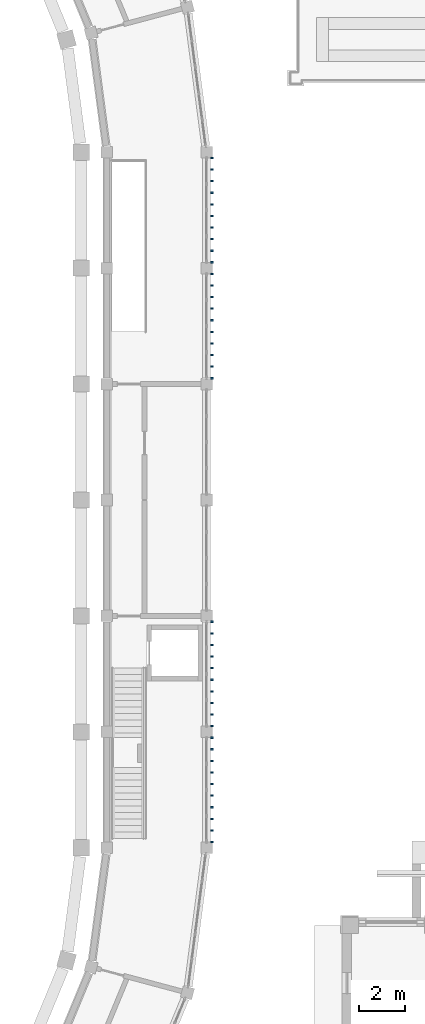
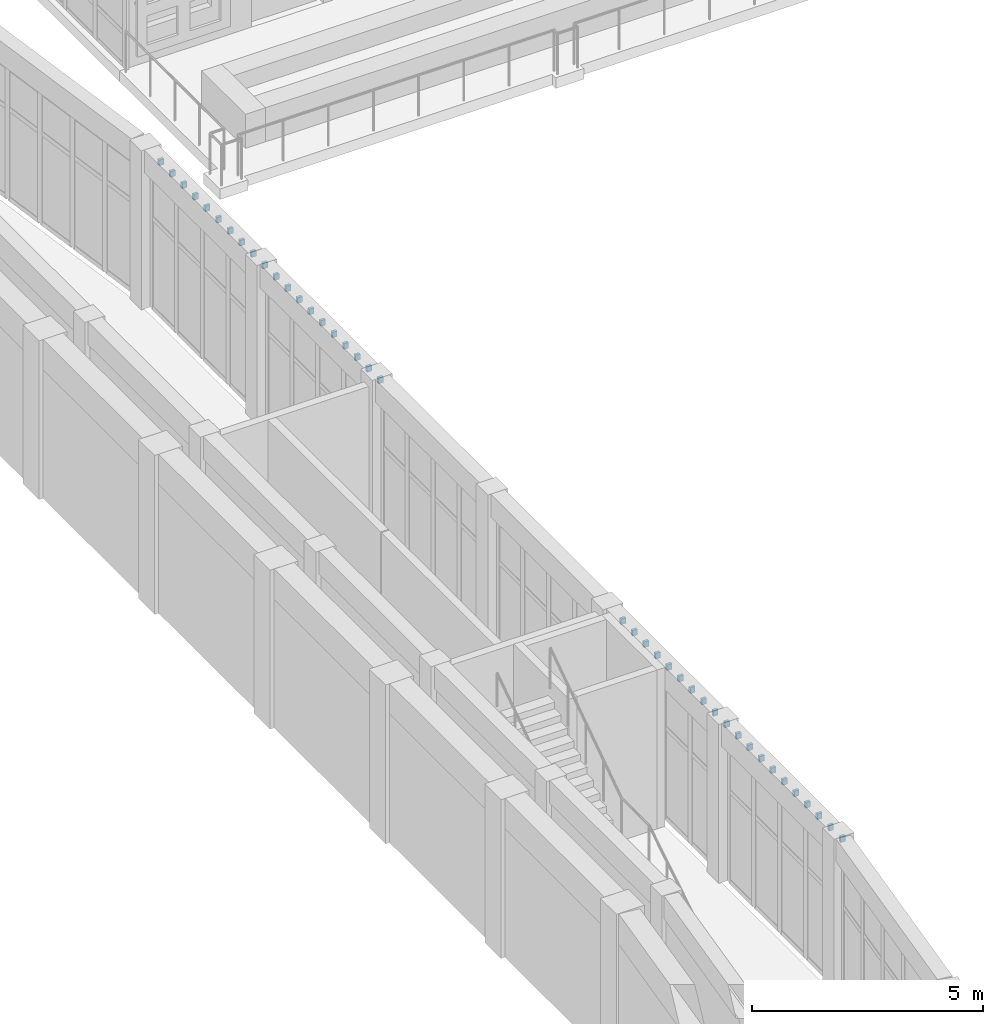
# One storey, part 75 of 99: 40 discrete accessories.
"""IFC4 building model written with IfcOpenShell, lengths in metres."""

import ifcopenshell
import ifcopenshell.guid

model = None  # the IFC model being written
_history = None  # IfcOwnerHistory: only IFC2X3 demands one
_inside = {}  # id of a spatial element -> (the spatial element, [elements in it])
_under = {}  # id of a project, library or spatial element -> (it, [spatial elements below it])
_declared = {}  # id of a project -> (the project, [libraries it declares])
_typed = {}  # id of a type object -> (the type object, [elements of that type])
_made_of = {}  # id of a material, layer set ... -> (it, [elements and type objects made of it])


def new_model(schema):
    """Start an empty IFC model of exactly this schema.

    Asked for "IFC4X3", IfcOpenShell would pick the latest addendum, in which some entities
    have other attributes; the version numbers below select the first issue.
    IFC2X3 requires an IfcOwnerHistory on every rooted entity: one is made here for all.
    """
    global model, _history
    if schema == "IFC4X3":
        model = ifcopenshell.file(schema_version=(4, 3, 0, 0))
    else:
        model = ifcopenshell.file(schema=schema)
    _inside.clear()
    _under.clear()
    _declared.clear()
    _typed.clear()
    _made_of.clear()
    _history = None
    if model.schema == "IFC2X3":
        org = make("IfcOrganization", Name="unknown")
        user = make(
            "IfcPersonAndOrganization",
            ThePerson=make("IfcPerson", FamilyName="unknown"),
            TheOrganization=org,
        )
        app = make(
            "IfcApplication",
            ApplicationDeveloper=org,
            Version="unknown",
            ApplicationFullName="unknown",
            ApplicationIdentifier="unknown",
        )
        _history = make(
            "IfcOwnerHistory",
            OwningUser=user,
            OwningApplication=app,
            ChangeAction="ADDED",
            CreationDate=0,
        )
    return model


def make(cls, **values):
    """One entity of the class cls with the attributes given. An attribute that is None is left unset."""
    return model.create_entity(
        cls, **{name: value for name, value in values.items() if value is not None}
    )


def rooted(cls, **values):
    """An entity with a GlobalId (a new one), such as an element, a storey or a relation."""
    return make(cls, GlobalId=ifcopenshell.guid.new(), OwnerHistory=_history, **values)


def si_unit(unit_type, name, prefix=None):
    """IfcSIUnit, for example si_unit("LENGTHUNIT", "METRE", prefix="MILLI")."""
    return make("IfcSIUnit", UnitType=unit_type, Prefix=prefix, Name=name)


def assignment(units):
    """IfcUnitAssignment: the units of a project."""
    return None if units is None else make("IfcUnitAssignment", Units=units)


def point(xyz):
    """IfcCartesianPoint."""
    return None if xyz is None else make("IfcCartesianPoint", Coordinates=xyz)


def direction(xyz):
    """IfcDirection."""
    return None if xyz is None else make("IfcDirection", DirectionRatios=xyz)


def frame(location, z_axis=None, x_axis=None):
    """IfcAxis2Placement3D, a coordinate frame: its origin and axes. An axis left out is left unset."""
    return make(
        "IfcAxis2Placement3D",
        Location=point(location),
        Axis=direction(z_axis),
        RefDirection=direction(x_axis),
    )


def frame_2d(location, x_axis=None):
    """IfcAxis2Placement2D, a coordinate frame in the plane: its origin and x axis."""
    return make(
        "IfcAxis2Placement2D", Location=point(location), RefDirection=direction(x_axis)
    )


def origin():
    """The frame at (0, 0, 0) with its axes left unset."""
    return frame((0.0, 0.0, 0.0))


def origin_2d():
    """The frame at (0, 0) in the plane with its x axis left unset."""
    return frame_2d((0.0, 0.0))


def place(relative_to, where):
    """IfcLocalPlacement: puts the frame where relative to a parent placement (None: the world)."""
    return make(
        "IfcLocalPlacement", PlacementRelTo=relative_to, RelativePlacement=where
    )


def context(
    kind, dimensions, precision=None, world=None, true_north=None, identifier=None
):
    """IfcGeometricRepresentationContext, for example the 3D "Model" context."""
    return make(
        "IfcGeometricRepresentationContext",
        ContextIdentifier=identifier,
        ContextType=kind,
        CoordinateSpaceDimension=dimensions,
        Precision=precision,
        WorldCoordinateSystem=world,
        TrueNorth=true_north,
    )


def subcontext(parent, identifier, kind, view, scale=None):
    """IfcGeometricRepresentationSubContext, for example "Body" below "Model"."""
    return make(
        "IfcGeometricRepresentationSubContext",
        ContextIdentifier=identifier,
        ContextType=kind,
        ParentContext=parent,
        TargetScale=scale,
        TargetView=view,
    )


def project(units=None, contexts=None):
    """IfcProject with its units and contexts."""
    return rooted(
        "IfcProject",
        Name="project",
        RepresentationContexts=contexts,
        UnitsInContext=assignment(units),
    )


def spatial(cls, under=None, at=None, **own):
    """A site, building, storey or space (cls), placed at a placement, below another one or the project."""
    s = rooted(cls, ObjectPlacement=at, **own)
    if under is not None:
        _under.setdefault(under.id(), (under, []))[1].append(s)
    return s


def profile(cls, at=None, kind="AREA", **sizes):
    """A parametric profile (cls). Its sizes go by their IFC names, for example OverallWidth=200.0."""
    return make(cls, ProfileType=kind, Position=at, **sizes)


def rectangle(**sizes):
    """IfcRectangleProfileDef."""
    return profile("IfcRectangleProfileDef", **sizes)


def extrude(swept, where, along, depth):
    """IfcExtrudedAreaSolid: the profile swept, set in the frame where, extruded along a direction by depth."""
    return make(
        "IfcExtrudedAreaSolid",
        SweptArea=swept,
        Position=where,
        ExtrudedDirection=direction(along),
        Depth=depth,
    )


def shape(context_of_items, identifier, shape_type, items):
    """IfcShapeRepresentation: the items that make up one representation, for example the "Body"."""
    return make(
        "IfcShapeRepresentation",
        ContextOfItems=context_of_items,
        RepresentationIdentifier=identifier,
        RepresentationType=shape_type,
        Items=items,
    )


def material(Name=None, Category=None):
    """IfcMaterial."""
    return make("IfcMaterial", Name=Name, Category=Category)


def made_of(thing, what):
    """Note that an element or type object is made of a material, layer set ...; save() writes the relation."""
    if what is not None:
        _made_of.setdefault(what.id(), (what, []))[1].append(thing)
    return thing


def type_object(cls, material=None, **own):
    """A type object (cls), such as IfcWallType, which elements share."""
    return made_of(rooted(cls, **own), material)


def element(
    cls,
    number,
    at=None,
    inside=None,
    cuts=None,
    type_object=None,
    material=None,
    context=None,
    identifier="Body",
    shape_type=None,
    held_by="IfcProductDefinitionShape",
    body=None,
    shapes=None,
    **own,
):
    """One element of the class cls, such as IfcWall. Its Tag is "e" and its number.

    at: its placement. inside: the storey or other place that contains it. cuts: it is an
    opening in that element (IfcRelVoidsElement). A single representation is given by context,
    identifier, shape_type and body (its items); several are given by shapes. held_by: the class
    of the entity that holds the representations. save() writes the other relations.
    """
    e = rooted(cls, Tag="e%d" % number, ObjectPlacement=at, **own)
    if body is not None:
        shapes = [shape(context, identifier, shape_type, body)]
    if shapes is not None:
        e.Representation = make(held_by, Representations=shapes)
    if inside is not None:
        _inside.setdefault(inside.id(), (inside, []))[1].append(e)
    if cuts is not None:
        rooted(
            "IfcRelVoidsElement", RelatingBuildingElement=cuts, RelatedOpeningElement=e
        )
    if type_object is not None:
        _typed.setdefault(type_object.id(), (type_object, []))[1].append(e)
    return made_of(e, material)


def aggregate(whole, parts):
    """IfcRelAggregates: a whole, such as a stair, and the parts it consists of."""
    return rooted("IfcRelAggregates", RelatingObject=whole, RelatedObjects=parts)


def save(model, path):
    """Write the relations noted so far, then the file.

    IfcRelAggregates (storeys below a building ...), IfcRelContainedInSpatialStructure (elements
    in a storey), IfcRelDefinesByType, IfcRelAssociatesMaterial and IfcRelDeclares: one each for
    every whole, place, type object, material and project.
    """
    for whole, parts in _under.values():
        aggregate(whole, parts)
    for where, things in _inside.values():
        rooted(
            "IfcRelContainedInSpatialStructure",
            RelatedElements=things,
            RelatingStructure=where,
        )
    for kind, things in _typed.values():
        rooted("IfcRelDefinesByType", RelatedObjects=things, RelatingType=kind)
    for what, things in _made_of.values():
        rooted("IfcRelAssociatesMaterial", RelatedObjects=things, RelatingMaterial=what)
    for by, libraries in _declared.values():
        rooted("IfcRelDeclares", RelatingContext=by, RelatedDefinitions=libraries)
    model.write(path)


model = new_model("IFC4")

# Units and contexts
model_context = context("Model", 3, precision=1e-05, world=origin(), true_north=direction((0.0, 1.0)))
body_context = subcontext(model_context, "Body", "Model", "MODEL_VIEW")
ifc_project = project(units=[si_unit("LENGTHUNIT", "METRE"), si_unit("AREAUNIT", "SQUARE_METRE"), si_unit("VOLUMEUNIT", "CUBIC_METRE"), si_unit("PLANEANGLEUNIT", "RADIAN"), si_unit("MASSUNIT", "GRAM", prefix="KILO")], contexts=[model_context])

# Site, building, storey
site_placement = place(None, origin())
site = spatial("IfcSite", under=ifc_project, at=site_placement, CompositionType="ELEMENT")
building_placement = place(site_placement, origin())
building = spatial("IfcBuilding", under=site, at=building_placement, Name="Wasatch Bagh Community Centre", CompositionType="ELEMENT")
storey_placement = place(building_placement, frame((0.0, 0.0, 4.199951171875)))
storey = spatial("IfcBuildingStorey", under=building, at=storey_placement, Name="L01", CompositionType="ELEMENT", Elevation=4.199951171875)

# Discrete accessories
ifc_material = material(Name="ASTM A36 steel", Category="steel")
discrete_accessory_type = type_object("IfcDiscreteAccessoryType", Name="Drum fin bracket", PredefinedType="BRACKET", material=ifc_material)
for number, where, z_axis, x_axis, name in (
    (1, (60.385009765625, 35.25, 3.675048828125), (0.0, 0.0, 1.0), (0.0, 1.0, 0.0), "Fin bracket 13.1.2"),
    (2, (60.385009765625, 35.75, 3.675048828125), (0.0, 0.0, 1.0), (0.0, 1.0, 0.0), "Fin bracket 13.2.2"),
    (3, (60.385009765625, 36.25, 3.675048828125), (0.0, 0.0, 1.0), (0.0, 1.0, 0.0), "Fin bracket 13.3.2"),
    (4, (60.385009765625, 36.75, 3.675048828125), (0.0, 0.0, 1.0), (0.0, 1.0, 0.0), "Fin bracket 13.4.2"),
    (5, (60.385009765625, 37.25, 3.675048828125), (0.0, 0.0, 1.0), (0.0, 1.0, 0.0), "Fin bracket 13.5.2"),
    (6, (60.385009765625, 37.75, 3.675048828125), (0.0, 0.0, 1.0), (0.0, 1.0, 0.0), "Fin bracket 13.6.2"),
    (7, (60.385009765625, 38.25, 3.675048828125), (0.0, 0.0, 1.0), (0.0, 1.0, 0.0), "Fin bracket 13.7.2"),
    (8, (60.385009765625, 38.75, 3.675048828125), (0.0, 0.0, 1.0), (0.0, 1.0, 0.0), "Fin bracket 13.8.2"),
    (9, (60.385009765625, 39.25, 3.675048828125), (0.0, 0.0, 1.0), (0.0, 1.0, 0.0), "Fin bracket 13.9.2"),
    (10, (60.385009765625, 39.75, 3.675048828125), (0.0, 0.0, 1.0), (0.0, 1.0, 0.0), "Fin bracket 13.10.2"),
    (11, (60.385009765625, 40.25, 3.675048828125), (0.0, 0.0, 1.0), (0.0, 1.0, 0.0), "Fin bracket 14.1.2"),
    (12, (60.385009765625, 40.75, 3.675048828125), (0.0, 0.0, 1.0), (0.0, 1.0, 0.0), "Fin bracket 14.2.2"),
    (13, (60.385009765625, 41.25, 3.675048828125), (0.0, 0.0, 1.0), (0.0, 1.0, 0.0), "Fin bracket 14.3.2"),
    (14, (60.385009765625, 41.75, 3.675048828125), (0.0, 0.0, 1.0), (0.0, 1.0, 0.0), "Fin bracket 14.4.2"),
    (15, (60.385009765625, 42.25, 3.675048828125), (0.0, 0.0, 1.0), (0.0, 1.0, 0.0), "Fin bracket 14.5.2"),
    (16, (60.385009765625, 42.75, 3.675048828125), (0.0, 0.0, 1.0), (0.0, 1.0, 0.0), "Fin bracket 14.6.2"),
    (17, (60.385009765625, 43.25, 3.675048828125), (0.0, 0.0, 1.0), (0.0, 1.0, 0.0), "Fin bracket 14.7.2"),
    (18, (60.385009765625, 43.75, 3.675048828125), (0.0, 0.0, 1.0), (0.0, 1.0, 0.0), "Fin bracket 14.8.2"),
    (19, (60.385009765625, 44.25, 3.675048828125), (0.0, 0.0, 1.0), (0.0, 1.0, 0.0), "Fin bracket 14.9.2"),
    (20, (60.385009765625, 44.75, 3.675048828125), (0.0, 0.0, 1.0), (0.0, 1.0, 0.0), "Fin bracket 14.10.2"),
    (21, (60.385009765625, 55.25, 3.675048828125), (0.0, 0.0, 1.0), (0.0, 1.0, 0.0), "Fin bracket 17.1.2"),
    (22, (60.385009765625, 55.75, 3.675048828125), (0.0, 0.0, 1.0), (0.0, 1.0, 0.0), "Fin bracket 17.2.2"),
    (23, (60.385009765625, 56.25, 3.675048828125), (0.0, 0.0, 1.0), (0.0, 1.0, 0.0), "Fin bracket 17.3.2"),
    (24, (60.385009765625, 56.75, 3.675048828125), (0.0, 0.0, 1.0), (0.0, 1.0, 0.0), "Fin bracket 17.4.2"),
    (25, (60.385009765625, 57.25, 3.675048828125), (0.0, 0.0, 1.0), (0.0, 1.0, 0.0), "Fin bracket 17.5.2"),
    (26, (60.385009765625, 57.75, 3.675048828125), (0.0, 0.0, 1.0), (0.0, 1.0, 0.0), "Fin bracket 17.6.2"),
    (27, (60.385009765625, 58.25, 3.675048828125), (0.0, 0.0, 1.0), (0.0, 1.0, 0.0), "Fin bracket 17.7.2"),
    (28, (60.385009765625, 58.75, 3.675048828125), (0.0, 0.0, 1.0), (0.0, 1.0, 0.0), "Fin bracket 17.8.2"),
    (29, (60.385009765625, 59.25, 3.675048828125), (0.0, 0.0, 1.0), (0.0, 1.0, 0.0), "Fin bracket 17.9.2"),
    (30, (60.385009765625, 59.75, 3.675048828125), (0.0, 0.0, 1.0), (0.0, 1.0, 0.0), "Fin bracket 17.10.2"),
    (31, (60.385009765625, 60.25, 3.675048828125), (0.0, 0.0, 1.0), (0.0, 1.0, 0.0), "Fin bracket 18.1.2"),
    (32, (60.385009765625, 60.75, 3.675048828125), (0.0, 0.0, 1.0), (0.0, 1.0, 0.0), "Fin bracket 18.2.2"),
    (33, (60.385009765625, 61.25, 3.675048828125), (0.0, 0.0, 1.0), (0.0, 1.0, 0.0), "Fin bracket 18.3.2"),
    (34, (60.385009765625, 61.75, 3.675048828125), (0.0, 0.0, 1.0), (0.0, 1.0, 0.0), "Fin bracket 18.4.2"),
    (35, (60.385009765625, 62.25, 3.675048828125), (0.0, 0.0, 1.0), (0.0, 1.0, 0.0), "Fin bracket 18.5.2"),
    (36, (60.385009765625, 62.75, 3.675048828125), (0.0, 0.0, 1.0), (0.0, 1.0, 0.0), "Fin bracket 18.6.2"),
    (37, (60.385009765625, 63.25, 3.675048828125), (0.0, 0.0, 1.0), (0.0, 1.0, 0.0), "Fin bracket 18.7.2"),
    (38, (60.385009765625, 63.75, 3.675048828125), (0.0, 0.0, 1.0), (0.0, 1.0, 0.0), "Fin bracket 18.8.2"),
    (39, (60.385009765625, 64.25, 3.675048828125), (0.0, 0.0, 1.0), (0.0, 1.0, 0.0), "Fin bracket 18.9.2"),
    (40, (60.385009765625, 64.75, 3.675048828125), (0.0, 0.0, 1.0), (0.0, 1.0, 0.0), "Fin bracket 18.10.2"),
):
    element("IfcDiscreteAccessory", number, at=place(storey_placement, frame(where, z_axis=z_axis, x_axis=x_axis)), inside=storey, type_object=discrete_accessory_type, Name=name, PredefinedType="BRACKET", context=body_context, shape_type="SweptSolid", body=[
        extrude(rectangle(XDim=0.070068359375, YDim=0.1201171875, at=origin_2d()), origin(), (0.0, 0.0, 1.0), 0.14990234375),
    ])

save(model, "model.ifc")
